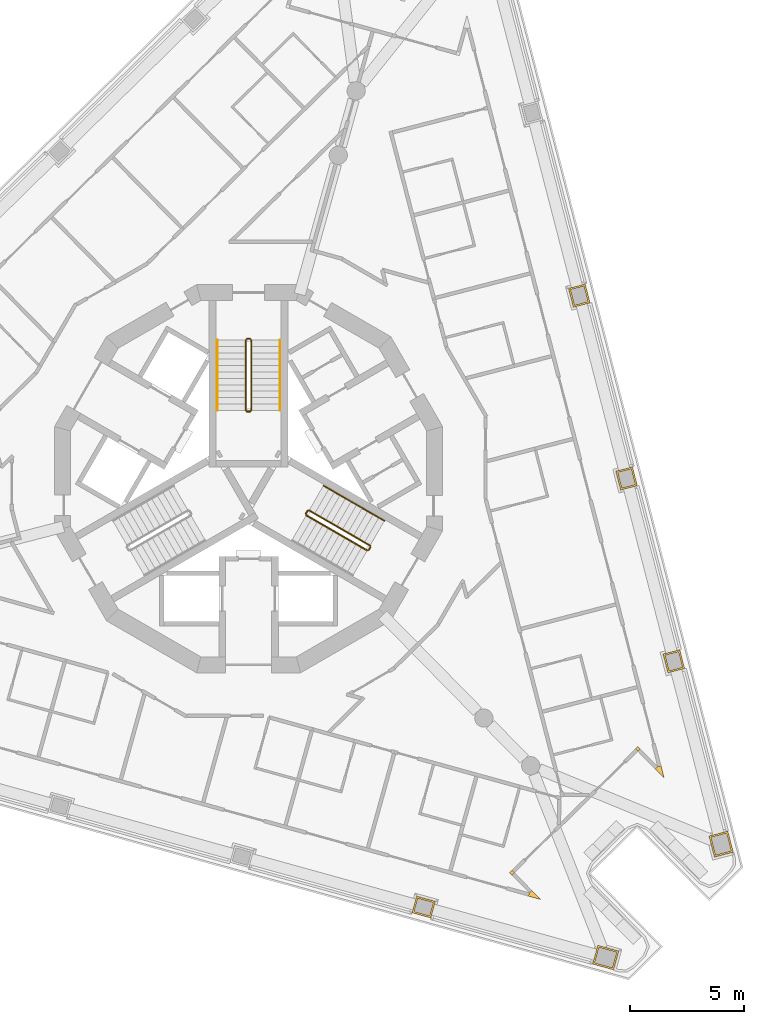
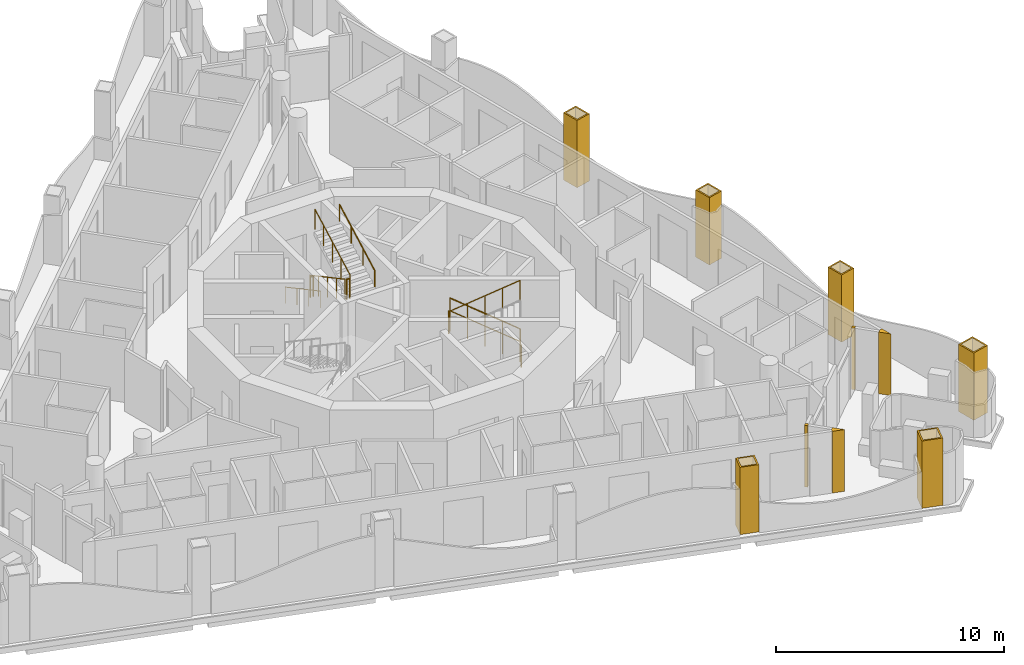
# One storey, part 13 of 15: 12 railings, 10 coverings.
"""IFC4 building model written with IfcOpenShell, lengths in metres."""

from ifc_helpers import new_model, si_unit, direction, frame, origin, origin_2d, place, context, subcontext, project, spatial, polyline, circle, outline, extrude, material, layer, layer_set, type_object, element, save


model = new_model("IFC4")

# Units and contexts
model_context = context("Model", 3, precision=1e-05, world=origin(), true_north=direction((0.0, 1.0)))
body_context = subcontext(model_context, "Body", "Model", "MODEL_VIEW")
ifc_project = project(units=[si_unit("LENGTHUNIT", "METRE"), si_unit("AREAUNIT", "SQUARE_METRE"), si_unit("VOLUMEUNIT", "CUBIC_METRE"), si_unit("PLANEANGLEUNIT", "RADIAN"), si_unit("MASSUNIT", "GRAM", prefix="KILO")], contexts=[model_context])

# Site, building, storey
site_placement = place(None, origin())
site = spatial("IfcSite", under=ifc_project, at=site_placement, CompositionType="ELEMENT")
building_placement = place(site_placement, origin())
building = spatial("IfcBuilding", under=site, at=building_placement, Name="Trine Commons Tower", CompositionType="ELEMENT")
storey_placement = place(building_placement, frame((0.0, 0.0, 256.5)))
storey = spatial("IfcBuildingStorey", under=building, at=storey_placement, Name="L67", CompositionType="ELEMENT", Elevation=256.5)

# Coverings
ifc_material_1 = material(Name="Aluminium-framed insulated wall panel", Category="aluminium")
ifc_layer_1 = layer(ifc_material_1, 0.14990234375)
ifc_layer_set_1 = layer_set([ifc_layer_1], Name="Aluminium-framed insulated wall panel")
covering_type_1 = type_object("IfcCoveringType", Name="Glazing corner post, aluminium", PredefinedType="CLADDING", material=ifc_layer_set_1)
covering_1_placement = place(storey_placement, origin())
element("IfcCovering", 1, at=covering_1_placement, inside=storey, type_object=covering_type_1, Name="Glazing corner post 7-06", PredefinedType="CLADDING", context=body_context, shape_type="SweptSolid", body=[
    extrude(outline(polyline([(97.80859375, 49.78515625), (98.200927734375, 49.3857421875), (98.060791015625, 49.927734375), (97.91552734375, 49.890380859375), (97.91552734375, 49.890380859375), (97.80859375, 49.78515625)])), origin(), (0.0, 0.0, 1.0), 3.300048828125),
])
covering_2_placement = place(storey_placement, origin())
element("IfcCovering", 2, at=covering_2_placement, inside=storey, type_object=covering_type_1, Name="Glazing corner post 7-07", PredefinedType="CLADDING", context=body_context, shape_type="SweptSolid", body=[
    extrude(outline(polyline([(96.9423828125, 50.66650390625), (97.047607421875, 50.5595703125), (97.154541015625, 50.66455078125), (97.04931640625, 50.771484375), (96.9423828125, 50.66650390625)])), origin(), (0.0, 0.0, 1.0), 3.300048828125),
])
covering_3_placement = place(storey_placement, origin())
element("IfcCovering", 3, at=covering_3_placement, inside=storey, type_object=covering_type_1, Name="Glazing corner post 7-08", PredefinedType="CLADDING", context=body_context, shape_type="SweptSolid", body=[
    extrude(outline(polyline([(91.5341796875, 45.1416015625), (91.64111328125, 45.24658203125), (91.535888671875, 45.353515625), (91.428955078125, 45.24853515625), (91.5341796875, 45.1416015625)])), origin(), (0.0, 0.0, 1.0), 3.300048828125),
])
covering_4_placement = place(storey_placement, origin())
element("IfcCovering", 4, at=covering_4_placement, inside=storey, type_object=covering_type_1, Name="Glazing corner post 7-09", PredefinedType="CLADDING", context=body_context, shape_type="SweptSolid", body=[
    extrude(outline(polyline([(92.255126953125, 44.222412109375), (92.79443359375, 44.072998046875), (92.402099609375, 44.47216796875), (92.295166015625, 44.3671875), (92.255126953125, 44.222412109375)])), origin(), (0.0, 0.0, 1.0), 3.300048828125),
])
ifc_material_2 = material(Name="Limestone, honed", Category="masonry")
ifc_layer_2 = layer(ifc_material_2, 0.074951171875)
ifc_layer_set_2 = layer_set([ifc_layer_2], Name="Limestone, honed")
covering_type_2 = type_object("IfcCoveringType", Name="Limestone column cladding 75", PredefinedType="CLADDING", material=ifc_layer_set_2)
covering_5_placement = place(storey_placement, origin())
element("IfcCovering", 5, at=covering_5_placement, inside=storey, type_object=covering_type_2, Name="Limestone pier cladding 7-01", PredefinedType="CLADDING", context=body_context, shape_type="SweptSolid", body=[
    extrude(outline(polyline([(95.292724609375, 42.0673828125), (95.0654296875, 41.248291015625), (95.98095703125, 40.994384765625), (96.2080078125, 41.8134765625), (95.292724609375, 42.0673828125)]), holes=[polyline([(95.344970703125, 41.97509765625), (95.15771484375, 41.300537109375), (95.9287109375, 41.086669921875), (96.11572265625, 41.76123046875), (95.344970703125, 41.97509765625)])]), origin(), (0.0, 0.0, 1.0), 3.60009765625),
])
covering_6_placement = place(storey_placement, origin())
element("IfcCovering", 6, at=covering_6_placement, inside=storey, type_object=covering_type_2, Name="Limestone pier cladding 7-02", PredefinedType="CLADDING", context=body_context, shape_type="SweptSolid", body=[
    extrude(outline(polyline([(87.359619140625, 44.215576171875), (87.158935546875, 43.492919921875), (87.97802734375, 43.265869140625), (88.1787109375, 43.988525390625), (87.359619140625, 44.215576171875)]), holes=[polyline([(87.41162109375, 44.123291015625), (87.25146484375, 43.545166015625), (87.92578125, 43.358154296875), (88.086181640625, 43.936279296875), (87.41162109375, 44.123291015625)])]), origin(), (0.0, 0.0, 1.0), 3.60009765625),
])
covering_7_placement = place(storey_placement, origin())
element("IfcCovering", 7, at=covering_7_placement, inside=storey, type_object=covering_type_2, Name="Limestone pier cladding 7-15", PredefinedType="CLADDING", context=body_context, shape_type="SweptSolid", body=[
    extrude(outline(polyline([(94.738525390625, 71.02099609375), (94.012451171875, 70.833251953125), (94.225341796875, 70.01025390625), (94.951416015625, 70.197998046875), (94.738525390625, 71.02099609375)]), holes=[polyline([(94.684814453125, 70.9296875), (94.10400390625, 70.779296875), (94.279296875, 70.101806640625), (94.860107421875, 70.251953125), (94.684814453125, 70.9296875)])]), origin(), (0.0, 0.0, 1.0), 3.60009765625),
])
covering_8_placement = place(storey_placement, origin())
element("IfcCovering", 8, at=covering_8_placement, inside=storey, type_object=covering_type_2, Name="Limestone pier cladding 7-16", PredefinedType="CLADDING", context=body_context, shape_type="SweptSolid", body=[
    extrude(outline(polyline([(96.808837890625, 63.015625), (96.082763671875, 62.827880859375), (96.295654296875, 62.0048828125), (97.021728515625, 62.192626953125), (96.808837890625, 63.015625)]), holes=[polyline([(96.755126953125, 62.92431640625), (96.17431640625, 62.77392578125), (96.349609375, 62.09619140625), (96.930419921875, 62.24658203125), (96.755126953125, 62.92431640625)])]), origin(), (0.0, 0.0, 1.0), 3.60009765625),
])
covering_9_placement = place(storey_placement, origin())
element("IfcCovering", 9, at=covering_9_placement, inside=storey, type_object=covering_type_2, Name="Limestone pier cladding 7-17", PredefinedType="CLADDING", context=body_context, shape_type="SweptSolid", body=[
    extrude(outline(polyline([(98.87939453125, 55.010498046875), (98.1533203125, 54.822509765625), (98.3662109375, 53.99951171875), (99.09228515625, 54.1875), (98.87939453125, 55.010498046875)]), holes=[polyline([(98.825439453125, 54.9189453125), (98.24462890625, 54.768798828125), (98.419921875, 54.091064453125), (99.000732421875, 54.2412109375), (98.825439453125, 54.9189453125)])]), origin(), (0.0, 0.0, 1.0), 3.60009765625),
])
covering_10_placement = place(storey_placement, origin())
element("IfcCovering", 10, at=covering_10_placement, inside=storey, type_object=covering_type_2, Name="Limestone pier cladding 7-18", PredefinedType="CLADDING", context=body_context, shape_type="SweptSolid", body=[
    extrude(outline(polyline([(100.985595703125, 47.06591796875), (100.16259765625, 46.853271484375), (100.400390625, 45.933349609375), (101.223388671875, 46.146240234375), (100.985595703125, 47.06591796875)]), holes=[polyline([(100.931640625, 46.974609375), (100.25390625, 46.79931640625), (100.454345703125, 46.02490234375), (101.132080078125, 46.2001953125), (100.931640625, 46.974609375)])]), origin(), (0.0, 0.0, 1.0), 3.60009765625),
])

# Railings
ifc_material_3 = material(Name="Stainless steel balustrade", Category="steel")
railing_type_1 = type_object("IfcRailingType", Name="Stair guard, steel balustrade 1100", PredefinedType="GUARDRAIL", material=ifc_material_3)
railing_1_placement = place(storey_placement, frame((79.875, 68.570556640625, 0.14990234375)))
element("IfcRailing", 11, at=railing_1_placement, inside=storey, type_object=railing_type_1, Name="L67 ST1C stair guard 1", PredefinedType="GUARDRAIL", context=body_context, shape_type="SweptSolid", body=[
    extrude(circle(Radius=0.02392578125, at=origin_2d()), frame((0.0, 0.0, 1.076171875), z_axis=(0.0, -0.881467505477, 0.472244678941), x_axis=(1.0, 0.0, 0.0)), (0.0, 0.0, 1.0), 3.494140625),
    extrude(circle(Radius=0.02099609375, at=origin_2d()), origin(), (0.0, 0.0, 1.0), 1.052001953125),
    extrude(circle(Radius=0.02099609375, at=origin_2d()), frame((0.0, -0.77001953125, 0.41259765625)), (0.0, 0.0, 1.0), 1.052001953125),
    extrude(circle(Radius=0.02099609375, at=origin_2d()), frame((0.0, -1.5400390625, 0.8251953125)), (0.0, 0.0, 1.0), 1.052001953125),
    extrude(circle(Radius=0.02099609375, at=origin_2d()), frame((0.0, -2.31005859375, 1.237548828125)), (0.0, 0.0, 1.0), 1.052001953125),
    extrude(circle(Radius=0.02099609375, at=origin_2d()), frame((0.0, -3.080078125, 1.650146484375)), (0.0, 0.0, 1.0), 1.052001953125),
])
railing_2_placement = place(storey_placement, frame((79.925048828125, 65.440673828125, 1.800048828125)))
element("IfcRailing", 12, at=railing_2_placement, inside=storey, type_object=railing_type_1, Name="L67 ST1C stair guard 2", PredefinedType="GUARDRAIL", context=body_context, shape_type="SweptSolid", body=[
    extrude(circle(Radius=0.02392578125, at=origin_2d()), frame((0.0, 0.0, 1.076171875), z_axis=(1.0, 0.0, 0.0), x_axis=(0.0, 1.0, 0.0)), (0.0, 0.0, 1.0), 0.14990234375),
    extrude(circle(Radius=0.02099609375, at=origin_2d()), origin(), (0.0, 0.0, 1.0), 1.052001953125),
    extrude(circle(Radius=0.02099609375, at=origin_2d()), frame((0.14990234375, 0.0, 0.0)), (0.0, 0.0, 1.0), 1.052001953125),
])
railing_3_placement = place(storey_placement, frame((80.125, 65.490478515625, 1.949951171875)))
element("IfcRailing", 13, at=railing_3_placement, inside=storey, type_object=railing_type_1, Name="L67 ST1C stair guard 3", PredefinedType="GUARDRAIL", context=body_context, shape_type="SweptSolid", body=[
    extrude(circle(Radius=0.02392578125, at=origin_2d()), frame((0.0, 0.0, 1.076171875), z_axis=(0.0, 0.881467505477, 0.472244678941), x_axis=(-1.0, 0.0, 0.0)), (0.0, 0.0, 1.0), 3.494140625),
    extrude(circle(Radius=0.02099609375, at=origin_2d()), origin(), (0.0, 0.0, 1.0), 1.052001953125),
    extrude(circle(Radius=0.02099609375, at=origin_2d()), frame((0.0, 0.77001953125, 0.41259765625)), (0.0, 0.0, 1.0), 1.052001953125),
    extrude(circle(Radius=0.02099609375, at=origin_2d()), frame((0.0, 1.5400390625, 0.8251953125)), (0.0, 0.0, 1.0), 1.052001953125),
    extrude(circle(Radius=0.02099609375, at=origin_2d()), frame((0.0, 2.31005859375, 1.237548828125)), (0.0, 0.0, 1.0), 1.052001953125),
    extrude(circle(Radius=0.02099609375, at=origin_2d()), frame((0.0, 3.080078125, 1.650146484375)), (0.0, 0.0, 1.0), 1.052001953125),
])
railing_4_placement = place(storey_placement, frame((79.925048828125, 68.62060546875, 0.0)))
element("IfcRailing", 14, at=railing_4_placement, inside=storey, type_object=railing_type_1, Name="L67 ST1C stair guard 4", PredefinedType="GUARDRAIL", context=body_context, shape_type="SweptSolid", body=[
    extrude(circle(Radius=0.02392578125, at=origin_2d()), frame((0.0, 0.0, 1.076171875), z_axis=(1.0, 0.0, 0.0), x_axis=(0.0, 1.0, 0.0)), (0.0, 0.0, 1.0), 0.14990234375),
    extrude(circle(Radius=0.02099609375, at=origin_2d()), origin(), (0.0, 0.0, 1.0), 1.052001953125),
    extrude(circle(Radius=0.02099609375, at=origin_2d()), frame((0.14990234375, 0.0, 0.0)), (0.0, 0.0, 1.0), 1.052001953125),
])
railing_5_placement = place(storey_placement, frame((85.31982421875, 59.572998046875, 0.14990234375)))
element("IfcRailing", 15, at=railing_5_placement, inside=storey, type_object=railing_type_1, Name="L67 ST3C stair guard 1", PredefinedType="GUARDRAIL", context=body_context, shape_type="SweptSolid", body=[
    extrude(circle(Radius=0.02392578125, at=origin_2d()), frame((0.0, 0.0, 1.076171875), z_axis=(-0.763379768245, 0.440728498818, 0.472239049384), x_axis=(-0.499992328818, -0.866029832698, 0.0)), (0.0, 0.0, 1.0), 3.494384765625),
    extrude(circle(Radius=0.02099609375, at=origin_2d()), origin(), (0.0, 0.0, 1.0), 1.052001953125),
    extrude(circle(Radius=0.02099609375, at=origin_2d()), frame((-0.6669921875, 0.385009765625, 0.41259765625)), (0.0, 0.0, 1.0), 1.052001953125),
    extrude(circle(Radius=0.02099609375, at=origin_2d()), frame((-1.333740234375, 0.77001953125, 0.8251953125)), (0.0, 0.0, 1.0), 1.052001953125),
    extrude(circle(Radius=0.02099609375, at=origin_2d()), frame((-2.00048828125, 1.155029296875, 1.237548828125)), (0.0, 0.0, 1.0), 1.052001953125),
    extrude(circle(Radius=0.02099609375, at=origin_2d()), frame((-2.66748046875, 1.5400390625, 1.650146484375)), (0.0, 0.0, 1.0), 1.052001953125),
])
railing_6_placement = place(storey_placement, frame((82.584228515625, 61.0947265625, 1.800048828125)))
element("IfcRailing", 16, at=railing_6_placement, inside=storey, type_object=railing_type_1, Name="L67 ST3C stair guard 2", PredefinedType="GUARDRAIL", context=body_context, shape_type="SweptSolid", body=[
    extrude(circle(Radius=0.02392578125, at=origin_2d()), frame((0.0, 0.0, 1.076171875), z_axis=(-0.501036270542, -0.865426285481, 0.0), x_axis=(0.865426285481, -0.501036270542, 0.0)), (0.0, 0.0, 1.0), 0.150146484375),
    extrude(circle(Radius=0.02099609375, at=origin_2d()), origin(), (0.0, 0.0, 1.0), 1.052001953125),
    extrude(circle(Radius=0.02099609375, at=origin_2d()), frame((-0.0751953125, -0.1298828125, 0.0)), (0.0, 0.0, 1.0), 1.052001953125),
])
railing_7_placement = place(storey_placement, frame((82.52734375, 60.896484375, 1.949951171875)))
element("IfcRailing", 17, at=railing_7_placement, inside=storey, type_object=railing_type_1, Name="L67 ST3C stair guard 3", PredefinedType="GUARDRAIL", context=body_context, shape_type="SweptSolid", body=[
    extrude(circle(Radius=0.02392578125, at=origin_2d()), frame((0.0, 0.0, 1.076171875), z_axis=(0.763379768245, -0.440728498818, 0.472239049384), x_axis=(0.499992328818, 0.866029832698, 0.0)), (0.0, 0.0, 1.0), 3.494384765625),
    extrude(circle(Radius=0.02099609375, at=origin_2d()), origin(), (0.0, 0.0, 1.0), 1.052001953125),
    extrude(circle(Radius=0.02099609375, at=origin_2d()), frame((0.6669921875, -0.385009765625, 0.41259765625)), (0.0, 0.0, 1.0), 1.052001953125),
    extrude(circle(Radius=0.02099609375, at=origin_2d()), frame((1.333740234375, -0.77001953125, 0.8251953125)), (0.0, 0.0, 1.0), 1.052001953125),
    extrude(circle(Radius=0.02099609375, at=origin_2d()), frame((2.00048828125, -1.155029296875, 1.237548828125)), (0.0, 0.0, 1.0), 1.052001953125),
    extrude(circle(Radius=0.02099609375, at=origin_2d()), frame((2.66748046875, -1.5400390625, 1.650146484375)), (0.0, 0.0, 1.0), 1.052001953125),
])
railing_8_placement = place(storey_placement, frame((85.338134765625, 59.504638671875, 0.0)))
element("IfcRailing", 18, at=railing_8_placement, inside=storey, type_object=railing_type_1, Name="L67 ST3C stair guard 4", PredefinedType="GUARDRAIL", context=body_context, shape_type="SweptSolid", body=[
    extrude(circle(Radius=0.02392578125, at=origin_2d()), frame((0.0, 0.0, 1.076171875), z_axis=(-0.499816412211, -0.866131372301, 0.0), x_axis=(0.866131372301, -0.499816412211, 0.0)), (0.0, 0.0, 1.0), 0.14990234375),
    extrude(circle(Radius=0.02099609375, at=origin_2d()), origin(), (0.0, 0.0, 1.0), 1.052001953125),
    extrude(circle(Radius=0.02099609375, at=origin_2d()), frame((-0.074951171875, -0.1298828125, 0.0)), (0.0, 0.0, 1.0), 1.052001953125),
])
ifc_material_4 = material(Name="Stainless steel handrail", Category="steel")
railing_type_2 = type_object("IfcRailingType", Name="Stair handrail, steel 900", PredefinedType="HANDRAIL", material=ifc_material_4)
railing_9_placement = place(storey_placement, frame((78.625, 68.570556640625, 0.14990234375)))
element("IfcRailing", 19, at=railing_9_placement, inside=storey, type_object=railing_type_2, Name="L67 ST1C stair handrail 1", PredefinedType="HANDRAIL", context=body_context, shape_type="SweptSolid", body=[
    extrude(circle(Radius=0.02099609375, at=origin_2d()), frame((0.0, 0.0, 0.87890625), z_axis=(0.0, -0.881467505477, 0.472244678941), x_axis=(1.0, 0.0, 0.0)), (0.0, 0.0, 1.0), 3.494140625),
    extrude(circle(Radius=0.01513671875, at=origin_2d()), origin(), (0.0, 0.0, 1.0), 0.85791015625),
    extrude(circle(Radius=0.01513671875, at=origin_2d()), frame((0.0, -1.026611328125, 0.550048828125)), (0.0, 0.0, 1.0), 0.85791015625),
    extrude(circle(Radius=0.01513671875, at=origin_2d()), frame((0.0, -2.053466796875, 1.10009765625)), (0.0, 0.0, 1.0), 0.85791015625),
    extrude(circle(Radius=0.01513671875, at=origin_2d()), frame((0.0, -3.080078125, 1.650146484375)), (0.0, 0.0, 1.0), 0.85791015625),
])
railing_10_placement = place(storey_placement, frame((81.375, 65.490478515625, 1.949951171875)))
element("IfcRailing", 20, at=railing_10_placement, inside=storey, type_object=railing_type_2, Name="L67 ST1C stair handrail 2", PredefinedType="HANDRAIL", context=body_context, shape_type="SweptSolid", body=[
    extrude(circle(Radius=0.02099609375, at=origin_2d()), frame((0.0, 0.0, 0.87890625), z_axis=(0.0, 0.881467505477, 0.472244678941), x_axis=(-1.0, 0.0, 0.0)), (0.0, 0.0, 1.0), 3.494140625),
    extrude(circle(Radius=0.01513671875, at=origin_2d()), origin(), (0.0, 0.0, 1.0), 0.85791015625),
    extrude(circle(Radius=0.01513671875, at=origin_2d()), frame((0.0, 1.026611328125, 0.550048828125)), (0.0, 0.0, 1.0), 0.85791015625),
    extrude(circle(Radius=0.01513671875, at=origin_2d()), frame((0.0, 2.053466796875, 1.10009765625)), (0.0, 0.0, 1.0), 0.85791015625),
    extrude(circle(Radius=0.01513671875, at=origin_2d()), frame((0.0, 3.080078125, 1.650146484375)), (0.0, 0.0, 1.0), 0.85791015625),
])
railing_11_placement = place(storey_placement, frame((85.94482421875, 60.655517578125, 0.14990234375)))
element("IfcRailing", 21, at=railing_11_placement, inside=storey, type_object=railing_type_2, Name="L67 ST3C stair handrail 1", PredefinedType="HANDRAIL", context=body_context, shape_type="SweptSolid", body=[
    extrude(circle(Radius=0.02099609375, at=origin_2d()), frame((0.0, 0.0, 0.87890625), z_axis=(-0.763354580307, 0.440713956853, 0.472293333596), x_axis=(-0.499992328818, -0.866029832698, 0.0)), (0.0, 0.0, 1.0), 1.747314453125),
    extrude(circle(Radius=0.01513671875, at=origin_2d()), origin(), (0.0, 0.0, 1.0), 0.85791015625),
    extrude(circle(Radius=0.01513671875, at=origin_2d()), frame((-0.6669921875, 0.385009765625, 0.41259765625)), (0.0, 0.0, 1.0), 0.85791015625),
    extrude(circle(Radius=0.01513671875, at=origin_2d()), frame((-1.333740234375, 0.77001953125, 0.8251953125)), (0.0, 0.0, 1.0), 0.85791015625),
])
railing_12_placement = place(storey_placement, frame((84.611083984375, 61.425537109375, 0.97509765625)))
element("IfcRailing", 22, at=railing_12_placement, inside=storey, type_object=railing_type_2, Name="L67 ST3C stair handrail 2", PredefinedType="HANDRAIL", context=body_context, shape_type="SweptSolid", body=[
    extrude(circle(Radius=0.02099609375, at=origin_2d()), frame((0.0, 0.0, 0.87890625), z_axis=(-0.76340495495, 0.440743040072, 0.472184759798), x_axis=(-0.499992328818, -0.866029832698, 0.0)), (0.0, 0.0, 1.0), 1.7470703125),
    extrude(circle(Radius=0.01513671875, at=origin_2d()), origin(), (0.0, 0.0, 1.0), 0.85791015625),
    extrude(circle(Radius=0.01513671875, at=origin_2d()), frame((-0.6669921875, 0.385009765625, 0.41259765625)), (0.0, 0.0, 1.0), 0.85791015625),
    extrude(circle(Radius=0.01513671875, at=origin_2d()), frame((-1.333740234375, 0.77001953125, 0.824951171875)), (0.0, 0.0, 1.0), 0.85791015625),
])

save(model, "model.ifc")
